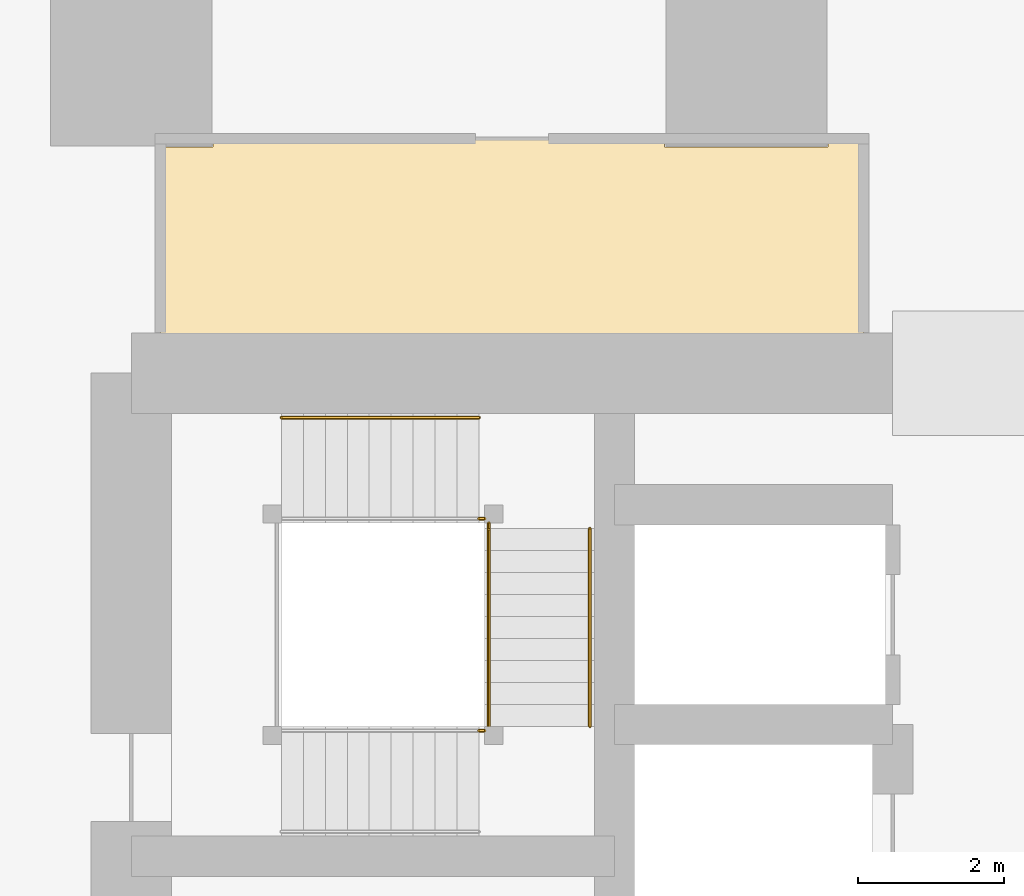
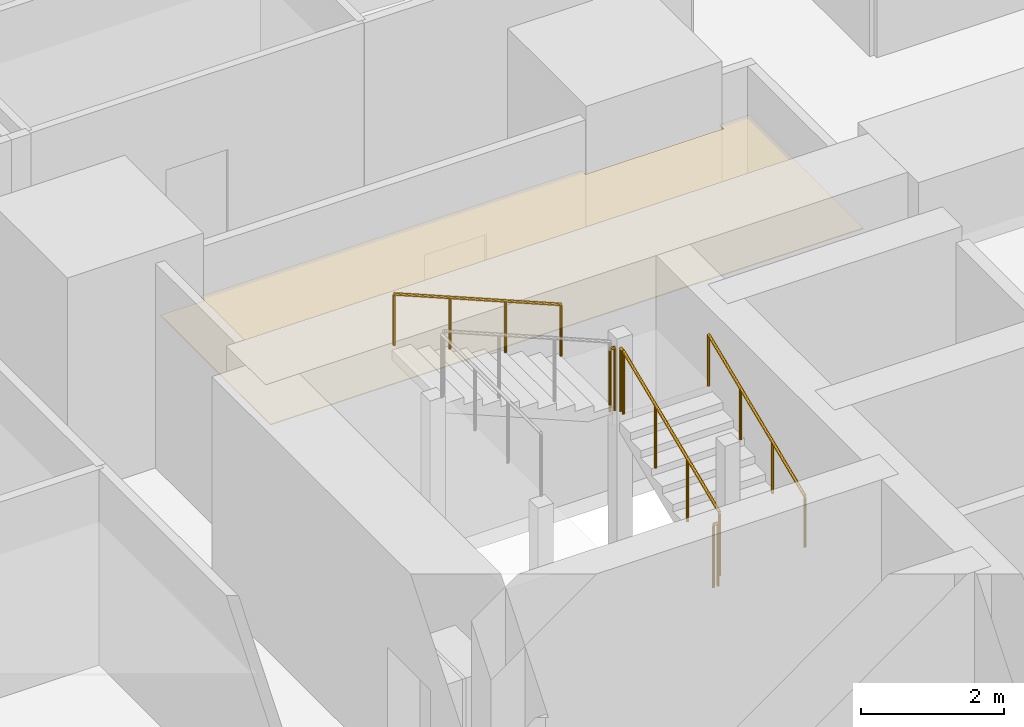
# One storey, part 42 of 45: 6 railings, 1 covering.
"""IFC4 building model written with IfcOpenShell, lengths in metres."""

from ifc_helpers import new_model, si_unit, direction, frame, origin, origin_2d, place, context, subcontext, project, spatial, polyline, circle, outline, extrude, material, layer, layer_set, type_object, element, save


model = new_model("IFC4")

# Units and contexts
model_context = context("Model", 3, precision=1e-05, world=origin(), true_north=direction((0.0, 1.0)))
body_context = subcontext(model_context, "Body", "Model", "MODEL_VIEW")
ifc_project = project(units=[si_unit("LENGTHUNIT", "METRE"), si_unit("AREAUNIT", "SQUARE_METRE"), si_unit("VOLUMEUNIT", "CUBIC_METRE"), si_unit("PLANEANGLEUNIT", "RADIAN"), si_unit("MASSUNIT", "GRAM", prefix="KILO")], contexts=[model_context])

# Site, building, storey
site_placement = place(None, origin())
site = spatial("IfcSite", under=ifc_project, at=site_placement, CompositionType="ELEMENT")
building_placement = place(site_placement, origin())
building = spatial("IfcBuilding", under=site, at=building_placement, Name="Rekha Terrace Tower", CompositionType="ELEMENT")
storey_placement = place(building_placement, frame((0.0, 0.0, 32.89990234375)))
storey = spatial("IfcBuildingStorey", under=building, at=storey_placement, Name="L07", CompositionType="ELEMENT", Elevation=32.89990234375)

# Covering
ifc_material_1 = material(Name="Fibre cement board", Category="finish")
ifc_layer = layer(ifc_material_1, 0.014892578125)
ifc_layer_set = layer_set([ifc_layer], Name="Fibre cement board")
covering_type = type_object("IfcCoveringType", Name="CL2 moisture-resistant board ceiling", PredefinedType="CEILING", material=ifc_layer_set)
covering_placement = place(storey_placement, frame((0.0, 0.0, 2.585205078125)))
element("IfcCovering", 1, at=covering_placement, inside=storey, type_object=covering_type, Name="Ceiling L07-WCF2", PredefinedType="CEILING", context=body_context, shape_type="SweptSolid", body=[
    extrude(outline(polyline([(26.31494140625, 49.284912109375), (25.60009765625, 49.284912109375), (25.60009765625, 46.199951171875), (35.199951171875, 46.199951171875), (35.199951171875, 49.39990234375), (34.715087890625, 49.39990234375), (34.715087890625, 49.284912109375), (32.485107421875, 49.284912109375), (32.485107421875, 49.39990234375), (26.31494140625, 49.39990234375), (26.31494140625, 49.284912109375)])), origin(), (0.0, 0.0, 1.0), 0.014892578125),
])

# Railings
ifc_material_2 = material(Name="Stainless steel balustrade", Category="steel")
railing_type_1 = type_object("IfcRailingType", Name="GR1 1100 stair guard", PredefinedType="GUARDRAIL", material=ifc_material_2)
railing_1_placement = place(storey_placement, frame((30.0849609375, 41.375, 1.375)))
element("IfcRailing", 2, at=railing_1_placement, inside=storey, type_object=railing_type_1, Name="Guard ST4 L07 flight 2", PredefinedType="GUARDRAIL", context=body_context, shape_type="SweptSolid", body=[
    extrude(circle(Radius=0.02392578125, at=origin_2d()), frame((0.0, 0.0, 1.076171875), z_axis=(0.0, 0.923074453586, 0.384621311341), x_axis=(-1.0, 0.0, 0.0)), (0.0, 0.0, 1.0), 2.925048828125),
    extrude(circle(Radius=0.02099609375, at=origin_2d()), origin(), (0.0, 0.0, 1.0), 1.052001953125),
    extrude(circle(Radius=0.02099609375, at=origin_2d()), frame((0.0, 0.89990234375, 0.375)), (0.0, 0.0, 1.0), 1.052001953125),
    extrude(circle(Radius=0.02099609375, at=origin_2d()), frame((0.0, 1.800048828125, 0.75)), (0.0, 0.0, 1.0), 1.052001953125),
    extrude(circle(Radius=0.02099609375, at=origin_2d()), frame((0.0, 2.699951171875, 1.125)), (0.0, 0.0, 1.0), 1.052001953125),
])
railing_2_placement = place(storey_placement, frame((29.949951171875, 41.31494140625, 1.25)))
element("IfcRailing", 3, at=railing_2_placement, inside=storey, type_object=railing_type_1, Name="Guard ST4 L07 landing 1", PredefinedType="GUARDRAIL", context=body_context, shape_type="SweptSolid", body=[
    extrude(circle(Radius=0.02392578125, at=origin_2d()), frame((0.0, 0.0, 1.076171875), z_axis=(1.0, 0.0, 0.0), x_axis=(0.0, 1.0, 0.0)), (0.0, 0.0, 1.0), 0.074951171875),
    extrude(circle(Radius=0.02099609375, at=origin_2d()), origin(), (0.0, 0.0, 1.0), 1.052001953125),
    extrude(circle(Radius=0.02099609375, at=origin_2d()), frame((0.074951171875, 0.0, 0.0)), (0.0, 0.0, 1.0), 1.052001953125),
])
railing_3_placement = place(storey_placement, frame((30.0849609375, 44.074951171875, 2.5)))
element("IfcRailing", 4, at=railing_3_placement, inside=storey, type_object=railing_type_1, Name="Guard ST4 L07 landing 2", PredefinedType="GUARDRAIL", context=body_context, shape_type="SweptSolid", body=[
    extrude(circle(Radius=0.02392578125, at=origin_2d()), frame((0.0, 0.0, 1.076171875), z_axis=(0.0, 1.0, 0.0), x_axis=(-1.0, 0.0, 0.0)), (0.0, 0.0, 1.0), 0.074951171875),
    extrude(circle(Radius=0.02099609375, at=origin_2d()), origin(), (0.0, 0.0, 1.0), 1.052001953125),
    extrude(circle(Radius=0.02099609375, at=origin_2d()), frame((0.0, 0.074951171875, 0.0)), (0.0, 0.0, 1.0), 1.052001953125),
])
railing_4_placement = place(storey_placement, frame((29.949951171875, 44.2099609375, 2.5)))
element("IfcRailing", 5, at=railing_4_placement, inside=storey, type_object=railing_type_1, Name="Guard ST4 L07 landing 3", PredefinedType="GUARDRAIL", context=body_context, shape_type="SweptSolid", body=[
    extrude(circle(Radius=0.02392578125, at=origin_2d()), frame((0.0, 0.0, 1.076171875), z_axis=(1.0, 0.0, 0.0), x_axis=(0.0, 1.0, 0.0)), (0.0, 0.0, 1.0), 0.074951171875),
    extrude(circle(Radius=0.02099609375, at=origin_2d()), origin(), (0.0, 0.0, 1.0), 1.052001953125),
    extrude(circle(Radius=0.02099609375, at=origin_2d()), frame((0.074951171875, 0.0, 0.0)), (0.0, 0.0, 1.0), 1.052001953125),
])
ifc_material_3 = material(Name="Stainless steel tube", Category="steel")
railing_type_2 = type_object("IfcRailingType", Name="HR1 900 stair handrail", PredefinedType="HANDRAIL", material=ifc_material_3)
railing_5_placement = place(storey_placement, frame((31.465087890625, 41.375, 1.375)))
element("IfcRailing", 6, at=railing_5_placement, inside=storey, type_object=railing_type_2, Name="Handrail ST4 L07 flight 2", PredefinedType="HANDRAIL", context=body_context, shape_type="SweptSolid", body=[
    extrude(circle(Radius=0.02392578125, at=origin_2d()), frame((0.0, 0.0, 0.8759765625), z_axis=(0.0, 0.923074453586, 0.384621311341), x_axis=(-1.0, 0.0, 0.0)), (0.0, 0.0, 1.0), 2.925048828125),
    extrude(circle(Radius=0.02099609375, at=origin_2d()), origin(), (0.0, 0.0, 1.0), 0.851806640625),
    extrude(circle(Radius=0.02099609375, at=origin_2d()), frame((0.0, 0.89990234375, 0.375)), (0.0, 0.0, 1.0), 0.851806640625),
    extrude(circle(Radius=0.02099609375, at=origin_2d()), frame((0.0, 1.800048828125, 0.75)), (0.0, 0.0, 1.0), 0.851806640625),
    extrude(circle(Radius=0.02099609375, at=origin_2d()), frame((0.0, 2.699951171875, 1.125)), (0.0, 0.0, 1.0), 0.851806640625),
])
railing_6_placement = place(storey_placement, frame((29.949951171875, 45.590087890625, 2.625)))
element("IfcRailing", 7, at=railing_6_placement, inside=storey, type_object=railing_type_2, Name="Handrail ST4 L07 flight 3", PredefinedType="HANDRAIL", context=body_context, shape_type="SweptSolid", body=[
    extrude(circle(Radius=0.02392578125, at=origin_2d()), frame((0.0, 0.0, 0.8759765625), z_axis=(-0.923074453586, 0.0, 0.384621311341), x_axis=(0.0, -1.0, 0.0)), (0.0, 0.0, 1.0), 2.925048828125),
    extrude(circle(Radius=0.02099609375, at=origin_2d()), origin(), (0.0, 0.0, 1.0), 0.851806640625),
    extrude(circle(Radius=0.02099609375, at=origin_2d()), frame((-0.89990234375, 0.0, 0.375)), (0.0, 0.0, 1.0), 0.851806640625),
    extrude(circle(Radius=0.02099609375, at=origin_2d()), frame((-1.800048828125, 0.0, 0.75)), (0.0, 0.0, 1.0), 0.851806640625),
    extrude(circle(Radius=0.02099609375, at=origin_2d()), frame((-2.699951171875, 0.0, 1.125)), (0.0, 0.0, 1.0), 0.851806640625),
])

save(model, "model.ifc")
